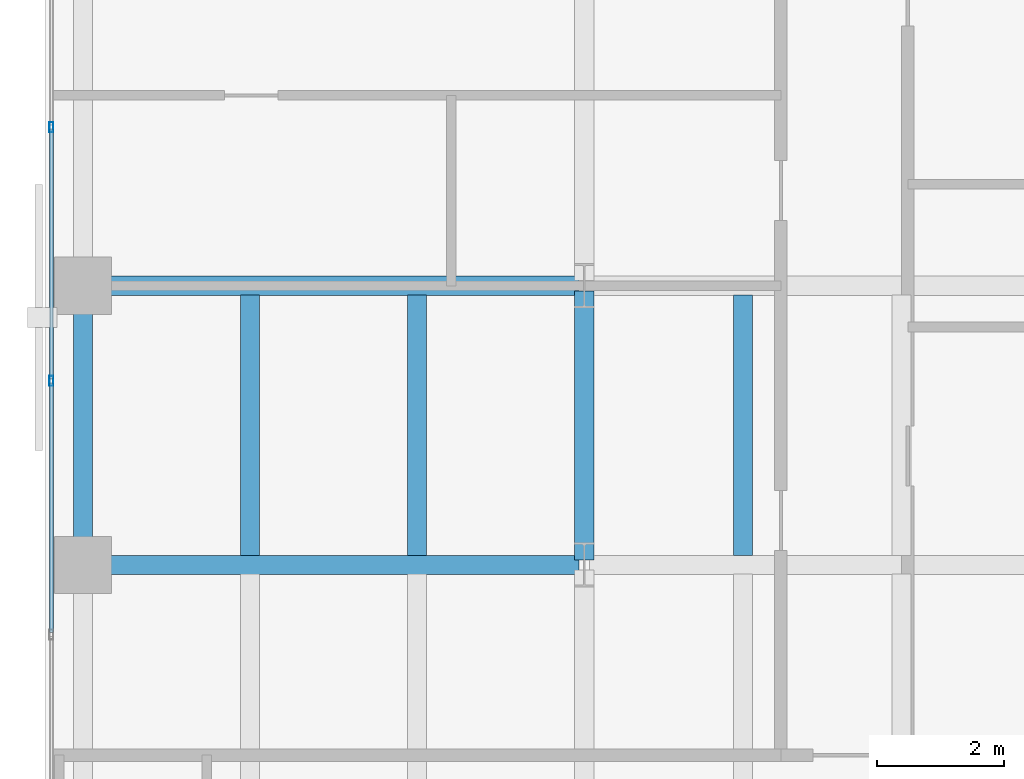
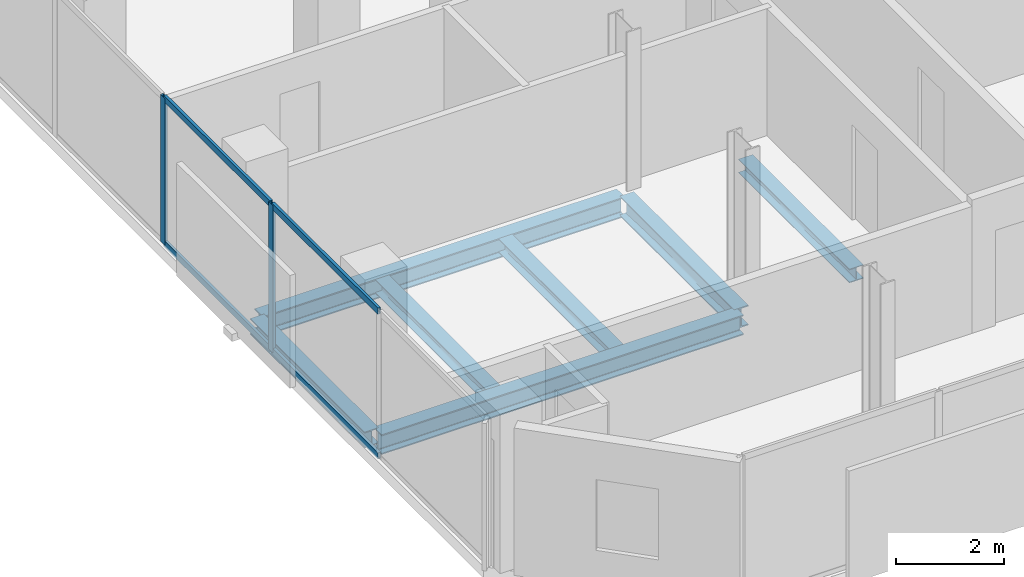
# One storey, part 5 of 34: 7 beams, 6 members, 1 element without a shape of its own.
"""IFC4 building model written with IfcOpenShell, lengths in metres."""

import ifcopenshell
import ifcopenshell.guid

model = None  # the IFC model being written
_history = None  # IfcOwnerHistory: only IFC2X3 demands one
_inside = {}  # id of a spatial element -> (the spatial element, [elements in it])
_under = {}  # id of a project, library or spatial element -> (it, [spatial elements below it])
_declared = {}  # id of a project -> (the project, [libraries it declares])
_typed = {}  # id of a type object -> (the type object, [elements of that type])
_made_of = {}  # id of a material, layer set ... -> (it, [elements and type objects made of it])


def new_model(schema):
    """Start an empty IFC model of exactly this schema.

    Asked for "IFC4X3", IfcOpenShell would pick the latest addendum, in which some entities
    have other attributes; the version numbers below select the first issue.
    IFC2X3 requires an IfcOwnerHistory on every rooted entity: one is made here for all.
    """
    global model, _history
    if schema == "IFC4X3":
        model = ifcopenshell.file(schema_version=(4, 3, 0, 0))
    else:
        model = ifcopenshell.file(schema=schema)
    _inside.clear()
    _under.clear()
    _declared.clear()
    _typed.clear()
    _made_of.clear()
    _history = None
    if model.schema == "IFC2X3":
        org = make("IfcOrganization", Name="unknown")
        user = make(
            "IfcPersonAndOrganization",
            ThePerson=make("IfcPerson", FamilyName="unknown"),
            TheOrganization=org,
        )
        app = make(
            "IfcApplication",
            ApplicationDeveloper=org,
            Version="unknown",
            ApplicationFullName="unknown",
            ApplicationIdentifier="unknown",
        )
        _history = make(
            "IfcOwnerHistory",
            OwningUser=user,
            OwningApplication=app,
            ChangeAction="ADDED",
            CreationDate=0,
        )
    return model


def make(cls, **values):
    """One entity of the class cls with the attributes given. An attribute that is None is left unset."""
    return model.create_entity(
        cls, **{name: value for name, value in values.items() if value is not None}
    )


def rooted(cls, **values):
    """An entity with a GlobalId (a new one), such as an element, a storey or a relation."""
    return make(cls, GlobalId=ifcopenshell.guid.new(), OwnerHistory=_history, **values)


def si_unit(unit_type, name, prefix=None):
    """IfcSIUnit, for example si_unit("LENGTHUNIT", "METRE", prefix="MILLI")."""
    return make("IfcSIUnit", UnitType=unit_type, Prefix=prefix, Name=name)


def assignment(units):
    """IfcUnitAssignment: the units of a project."""
    return None if units is None else make("IfcUnitAssignment", Units=units)


def point(xyz):
    """IfcCartesianPoint."""
    return None if xyz is None else make("IfcCartesianPoint", Coordinates=xyz)


def direction(xyz):
    """IfcDirection."""
    return None if xyz is None else make("IfcDirection", DirectionRatios=xyz)


def frame(location, z_axis=None, x_axis=None):
    """IfcAxis2Placement3D, a coordinate frame: its origin and axes. An axis left out is left unset."""
    return make(
        "IfcAxis2Placement3D",
        Location=point(location),
        Axis=direction(z_axis),
        RefDirection=direction(x_axis),
    )


def frame_2d(location, x_axis=None):
    """IfcAxis2Placement2D, a coordinate frame in the plane: its origin and x axis."""
    return make(
        "IfcAxis2Placement2D", Location=point(location), RefDirection=direction(x_axis)
    )


def origin():
    """The frame at (0, 0, 0) with its axes left unset."""
    return frame((0.0, 0.0, 0.0))


def origin_2d():
    """The frame at (0, 0) in the plane with its x axis left unset."""
    return frame_2d((0.0, 0.0))


def place(relative_to, where):
    """IfcLocalPlacement: puts the frame where relative to a parent placement (None: the world)."""
    return make(
        "IfcLocalPlacement", PlacementRelTo=relative_to, RelativePlacement=where
    )


def context(
    kind, dimensions, precision=None, world=None, true_north=None, identifier=None
):
    """IfcGeometricRepresentationContext, for example the 3D "Model" context."""
    return make(
        "IfcGeometricRepresentationContext",
        ContextIdentifier=identifier,
        ContextType=kind,
        CoordinateSpaceDimension=dimensions,
        Precision=precision,
        WorldCoordinateSystem=world,
        TrueNorth=true_north,
    )


def subcontext(parent, identifier, kind, view, scale=None):
    """IfcGeometricRepresentationSubContext, for example "Body" below "Model"."""
    return make(
        "IfcGeometricRepresentationSubContext",
        ContextIdentifier=identifier,
        ContextType=kind,
        ParentContext=parent,
        TargetScale=scale,
        TargetView=view,
    )


def project(units=None, contexts=None):
    """IfcProject with its units and contexts."""
    return rooted(
        "IfcProject",
        Name="project",
        RepresentationContexts=contexts,
        UnitsInContext=assignment(units),
    )


def spatial(cls, under=None, at=None, **own):
    """A site, building, storey or space (cls), placed at a placement, below another one or the project."""
    s = rooted(cls, ObjectPlacement=at, **own)
    if under is not None:
        _under.setdefault(under.id(), (under, []))[1].append(s)
    return s


def profile(cls, at=None, kind="AREA", **sizes):
    """A parametric profile (cls). Its sizes go by their IFC names, for example OverallWidth=200.0."""
    return make(cls, ProfileType=kind, Position=at, **sizes)


def hollow_rectangle(**sizes):
    """IfcRectangleHollowProfileDef."""
    return profile("IfcRectangleHollowProfileDef", **sizes)


def i_section(**sizes):
    """IfcIShapeProfileDef."""
    return profile("IfcIShapeProfileDef", **sizes)


def extrude(swept, where, along, depth):
    """IfcExtrudedAreaSolid: the profile swept, set in the frame where, extruded along a direction by depth."""
    return make(
        "IfcExtrudedAreaSolid",
        SweptArea=swept,
        Position=where,
        ExtrudedDirection=direction(along),
        Depth=depth,
    )


def shape(context_of_items, identifier, shape_type, items):
    """IfcShapeRepresentation: the items that make up one representation, for example the "Body"."""
    return make(
        "IfcShapeRepresentation",
        ContextOfItems=context_of_items,
        RepresentationIdentifier=identifier,
        RepresentationType=shape_type,
        Items=items,
    )


def material(Name=None, Category=None):
    """IfcMaterial."""
    return make("IfcMaterial", Name=Name, Category=Category)


def layer(
    of_material, thickness, ventilated=None, Name=None, Category=None, Priority=None
):
    """IfcMaterialLayer: one layer of a wall or slab, of a material (None: an air gap)."""
    return make(
        "IfcMaterialLayer",
        Material=of_material,
        LayerThickness=thickness,
        IsVentilated=ventilated,
        Name=Name,
        Category=Category,
        Priority=Priority,
    )


def layer_set(layers, Name=None):
    """IfcMaterialLayerSet."""
    return make("IfcMaterialLayerSet", MaterialLayers=layers, LayerSetName=Name)


def material_profile(
    of_material, cross_section, Name=None, Category=None, Priority=None
):
    """IfcMaterialProfile: a cross section and its material."""
    return make(
        "IfcMaterialProfile",
        Name=Name,
        Material=of_material,
        Profile=cross_section,
        Priority=Priority,
        Category=Category,
    )


def profile_set(profiles, Name=None, composite=None):
    """IfcMaterialProfileSet."""
    return make(
        "IfcMaterialProfileSet",
        Name=Name,
        MaterialProfiles=profiles,
        CompositeProfile=composite,
    )


def made_of(thing, what):
    """Note that an element or type object is made of a material, layer set ...; save() writes the relation."""
    if what is not None:
        _made_of.setdefault(what.id(), (what, []))[1].append(thing)
    return thing


def type_object(cls, material=None, **own):
    """A type object (cls), such as IfcWallType, which elements share."""
    return made_of(rooted(cls, **own), material)


def element(
    cls,
    number,
    at=None,
    inside=None,
    cuts=None,
    type_object=None,
    material=None,
    context=None,
    identifier="Body",
    shape_type=None,
    held_by="IfcProductDefinitionShape",
    body=None,
    shapes=None,
    **own,
):
    """One element of the class cls, such as IfcWall. Its Tag is "e" and its number.

    at: its placement. inside: the storey or other place that contains it. cuts: it is an
    opening in that element (IfcRelVoidsElement). A single representation is given by context,
    identifier, shape_type and body (its items); several are given by shapes. held_by: the class
    of the entity that holds the representations. save() writes the other relations.
    """
    e = rooted(cls, Tag="e%d" % number, ObjectPlacement=at, **own)
    if body is not None:
        shapes = [shape(context, identifier, shape_type, body)]
    if shapes is not None:
        e.Representation = make(held_by, Representations=shapes)
    if inside is not None:
        _inside.setdefault(inside.id(), (inside, []))[1].append(e)
    if cuts is not None:
        rooted(
            "IfcRelVoidsElement", RelatingBuildingElement=cuts, RelatedOpeningElement=e
        )
    if type_object is not None:
        _typed.setdefault(type_object.id(), (type_object, []))[1].append(e)
    return made_of(e, material)


def aggregate(whole, parts):
    """IfcRelAggregates: a whole, such as a stair, and the parts it consists of."""
    return rooted("IfcRelAggregates", RelatingObject=whole, RelatedObjects=parts)


def save(model, path):
    """Write the relations noted so far, then the file.

    IfcRelAggregates (storeys below a building ...), IfcRelContainedInSpatialStructure (elements
    in a storey), IfcRelDefinesByType, IfcRelAssociatesMaterial and IfcRelDeclares: one each for
    every whole, place, type object, material and project.
    """
    for whole, parts in _under.values():
        aggregate(whole, parts)
    for where, things in _inside.values():
        rooted(
            "IfcRelContainedInSpatialStructure",
            RelatedElements=things,
            RelatingStructure=where,
        )
    for kind, things in _typed.values():
        rooted("IfcRelDefinesByType", RelatedObjects=things, RelatingType=kind)
    for what, things in _made_of.values():
        rooted("IfcRelAssociatesMaterial", RelatedObjects=things, RelatingMaterial=what)
    for by, libraries in _declared.values():
        rooted("IfcRelDeclares", RelatingContext=by, RelatedDefinitions=libraries)
    model.write(path)


model = new_model("IFC4")

# Units and contexts
model_context = context("Model", 3, precision=1e-05, world=origin(), true_north=direction((0.0, 1.0)))
body_context = subcontext(model_context, "Body", "Model", "MODEL_VIEW")
ifc_project = project(units=[si_unit("LENGTHUNIT", "METRE"), si_unit("AREAUNIT", "SQUARE_METRE"), si_unit("VOLUMEUNIT", "CUBIC_METRE"), si_unit("PLANEANGLEUNIT", "RADIAN"), si_unit("MASSUNIT", "GRAM", prefix="KILO")], contexts=[model_context])

# Site, building, storey
site_placement = place(None, origin())
site = spatial("IfcSite", under=ifc_project, at=site_placement, CompositionType="ELEMENT")
building_placement = place(site_placement, origin())
building = spatial("IfcBuilding", under=site, at=building_placement, Name="Catumbela Crestline Tower", CompositionType="ELEMENT")
storey_placement = place(building_placement, frame((0.0, 0.0, 111.6)))
storey = spatial("IfcBuildingStorey", under=building, at=storey_placement, Name="L28", CompositionType="ELEMENT", Elevation=111.6)

# Beams
ifc_material_1 = material(Name="Structural steel S355J2", Category="steel")
ifc_material_profile_1 = material_profile(ifc_material_1, i_section(OverallWidth=0.3, OverallDepth=0.45, WebThickness=0.014, FlangeThickness=0.026, FilletRadius=0.027, at=origin_2d()), Name="HEB 450")
ifc_profile_set_1 = profile_set([ifc_material_profile_1], Name="Structural steel S355J2")
beam_type_1 = type_object("IfcBeamType", Name="BG-HEB450", PredefinedType="BEAM", material=ifc_profile_set_1)
for number, where, z_axis, x_axis, name in (
    (1, (0.68, 13.6, -0.485), (1.0, 0.0, 0.0), (0.0, 1.0, 0.0), "L28 Beam BM-L28-WEW46"),
    (2, (0.68, 18.0, -0.485), (1.0, 0.0, 0.0), (0.0, 1.0, 0.0), "L28 Beam BM-L28-WEW49"),
):
    element("IfcBeam", number, at=place(storey_placement, frame(where, z_axis=z_axis, x_axis=x_axis)), inside=storey, type_object=beam_type_1, Name=name, PredefinedType="BEAM", context=body_context, shape_type="SweptSolid", body=[
        extrude(i_section(OverallWidth=0.3, OverallDepth=0.45, WebThickness=0.014, FlangeThickness=0.026, FilletRadius=0.027, at=origin_2d()), origin(), (0.0, 0.0, 1.0), 7.74),
    ])
beam_1_placement = place(storey_placement, frame((8.5, 13.68, -0.485), z_axis=(0.0, 1.0, 0.0), x_axis=(-1.0, 0.0, 0.0)))
element("IfcBeam", 3, at=beam_1_placement, inside=storey, type_object=beam_type_1, Name="L28 Beam BM-L28-WNS56", PredefinedType="BEAM", context=body_context, shape_type="SweptSolid", body=[
    extrude(i_section(OverallWidth=0.3, OverallDepth=0.45, WebThickness=0.014, FlangeThickness=0.026, FilletRadius=0.027, at=origin_2d()), origin(), (0.0, 0.0, 1.0), 4.24),
])
ifc_material_profile_2 = material_profile(ifc_material_1, i_section(OverallWidth=0.3, OverallDepth=0.31, WebThickness=0.009, FlangeThickness=0.0155, FilletRadius=0.027, at=origin_2d()), Name="HEA 320")
ifc_profile_set_2 = profile_set([ifc_material_profile_2], Name="Structural steel S355J2")
beam_type_2 = type_object("IfcBeamType", Name="BJ-HEA320", PredefinedType="JOIST", material=ifc_profile_set_2)
for number, where, z_axis, x_axis, name in (
    (4, (3.233, 13.747, -0.415), (0.0, 1.0, 0.0), (-1.0, 0.0, 0.0), "L28 Joist JS-L28-WG69"),
    (5, (5.867, 13.747, -0.415), (0.0, 1.0, 0.0), (-1.0, 0.0, 0.0), "L28 Joist JS-L28-WG70"),
    (6, (11.0, 13.747, -0.415), (0.0, 1.0, 0.0), (-1.0, 0.0, 0.0), "L28 Joist JS-L28-WG71"),
):
    element("IfcBeam", number, at=place(storey_placement, frame(where, z_axis=z_axis, x_axis=x_axis)), inside=storey, type_object=beam_type_2, Name=name, PredefinedType="JOIST", context=body_context, shape_type="SweptSolid", body=[
        extrude(i_section(OverallWidth=0.3, OverallDepth=0.31, WebThickness=0.009, FlangeThickness=0.0155, FilletRadius=0.027, at=origin_2d()), origin(), (0.0, 0.0, 1.0), 4.106),
    ])

# Curtain wall, members
ifc_material_2 = material(Name="Aluminium alloy AW-6060-T66", Category="aluminium")
ifc_layer = layer(ifc_material_2, 0.18, Name="Aluminium alloy AW-6060-T66")
ifc_layer_set = layer_set([ifc_layer], Name="Aluminium alloy AW-6060-T66")
curtain_wall_type = type_object("IfcCurtainWallType", Name="CWU-Z2", PredefinedType="USERDEFINED", material=ifc_layer_set)
curtain_wall_placement = place(storey_placement, origin())
curtain_wall = element("IfcCurtainWall", 7, at=curtain_wall_placement, inside=storey, type_object=curtain_wall_type, Name="L28 Unitised Curtain Wall CW-L28-E9S1", ObjectType="UNITISED", PredefinedType="USERDEFINED")
ifc_material_profile_3 = material_profile(ifc_material_2, hollow_rectangle(XDim=0.06, YDim=0.16, WallThickness=0.004, at=origin_2d()), Name="ALU 160x60x4")
ifc_profile_set_3 = profile_set([ifc_material_profile_3], Name="Aluminium alloy AW-6060-T66")
member_type_1 = type_object("IfcMemberType", Name="MUL-160X60", PredefinedType="MULLION", material=ifc_profile_set_3)
member_1_placement = place(storey_placement, frame((0.1, 20.5, 0.0), z_axis=(0.0, 0.0, 1.0), x_axis=(1.0, 0.0, 0.0)))
member_1 = element("IfcMember", 8, at=member_1_placement, type_object=member_type_1, Name="CWU-Z2 mullion 7", PredefinedType="MULLION", context=body_context, shape_type="SweptSolid", body=[
    extrude(hollow_rectangle(XDim=0.06, YDim=0.16, WallThickness=0.004, at=origin_2d()), origin(), (0.0, 0.0, 1.0), 3.33),
])
member_2_placement = place(storey_placement, frame((0.1, 16.5, 0.0), z_axis=(0.0, 0.0, 1.0), x_axis=(1.0, 0.0, 0.0)))
member_2 = element("IfcMember", 9, at=member_2_placement, type_object=member_type_1, Name="CWU-Z2 mullion 8", PredefinedType="MULLION", context=body_context, shape_type="SweptSolid", body=[
    extrude(hollow_rectangle(XDim=0.06, YDim=0.16, WallThickness=0.004, at=origin_2d()), origin(), (0.0, 0.0, 1.0), 3.33),
])

# Beam
ifc_material_profile_4 = material_profile(ifc_material_1, i_section(OverallWidth=0.3, OverallDepth=0.36, WebThickness=0.0125, FlangeThickness=0.0225, FilletRadius=0.027, at=origin_2d()), Name="HEB 360")
ifc_profile_set_4 = profile_set([ifc_material_profile_4], Name="Structural steel S355J2")
beam_type_3 = type_object("IfcBeamType", Name="BS-HEB360", PredefinedType="SPANDREL", material=ifc_profile_set_4)
beam_2_placement = place(storey_placement, frame((0.6, 13.68, -0.44), z_axis=(0.0, 1.0, 0.0), x_axis=(-1.0, 0.0, 0.0)))
element("IfcBeam", 10, at=beam_2_placement, inside=storey, type_object=beam_type_3, Name="L28 Spandrel SP-L28-WNS53", PredefinedType="SPANDREL", context=body_context, shape_type="SweptSolid", body=[
    extrude(i_section(OverallWidth=0.3, OverallDepth=0.36, WebThickness=0.0125, FlangeThickness=0.0225, FilletRadius=0.027, at=origin_2d()), origin(), (0.0, 0.0, 1.0), 4.24),
])

# Member
ifc_material_profile_5 = material_profile(ifc_material_2, hollow_rectangle(XDim=0.06, YDim=0.14, WallThickness=0.004, at=origin_2d()), Name="ALU 140x60x4")
ifc_profile_set_5 = profile_set([ifc_material_profile_5], Name="Aluminium alloy AW-6060-T66")
member_type_2 = type_object("IfcMemberType", Name="TRN-140X60", PredefinedType="USERDEFINED", material=ifc_profile_set_5)
member_3_placement = place(storey_placement, frame((0.1, 20.4675, 0.03), z_axis=(0.0, -1.0, 0.0), x_axis=(1.0, 0.0, 0.0)))
member_3 = element("IfcMember", 11, at=member_3_placement, type_object=member_type_2, Name="CWU-Z2 transom 7.1", ObjectType="TRANSOM", PredefinedType="USERDEFINED", context=body_context, shape_type="SweptSolid", body=[
    extrude(hollow_rectangle(XDim=0.06, YDim=0.14, WallThickness=0.004, at=origin_2d()), origin(), (0.0, 0.0, 1.0), 3.935),
])

member_4_placement = place(storey_placement, frame((0.1, 20.4675, 3.3), z_axis=(0.0, -1.0, 0.0), x_axis=(1.0, 0.0, 0.0)))
member_4 = element("IfcMember", 12, at=member_4_placement, type_object=member_type_2, Name="CWU-Z2 transom 7.2", ObjectType="TRANSOM", PredefinedType="USERDEFINED", context=body_context, shape_type="SweptSolid", body=[
    extrude(hollow_rectangle(XDim=0.06, YDim=0.14, WallThickness=0.004, at=origin_2d()), origin(), (0.0, 0.0, 1.0), 3.935),
])

member_5_placement = place(storey_placement, frame((0.1, 16.4675, 0.03), z_axis=(0.0, -1.0, 0.0), x_axis=(1.0, 0.0, 0.0)))
member_5 = element("IfcMember", 13, at=member_5_placement, type_object=member_type_2, Name="CWU-Z2 transom 8.1", ObjectType="TRANSOM", PredefinedType="USERDEFINED", context=body_context, shape_type="SweptSolid", body=[
    extrude(hollow_rectangle(XDim=0.06, YDim=0.14, WallThickness=0.004, at=origin_2d()), origin(), (0.0, 0.0, 1.0), 3.935),
])

member_6_placement = place(storey_placement, frame((0.1, 16.4675, 3.3), z_axis=(0.0, -1.0, 0.0), x_axis=(1.0, 0.0, 0.0)))
member_6 = element("IfcMember", 14, at=member_6_placement, type_object=member_type_2, Name="CWU-Z2 transom 8.2", ObjectType="TRANSOM", PredefinedType="USERDEFINED", context=body_context, shape_type="SweptSolid", body=[
    extrude(hollow_rectangle(XDim=0.06, YDim=0.14, WallThickness=0.004, at=origin_2d()), origin(), (0.0, 0.0, 1.0), 3.935),
])

aggregate(curtain_wall, [member_1, member_2, member_3, member_4, member_5, member_6])

save(model, "model.ifc")
